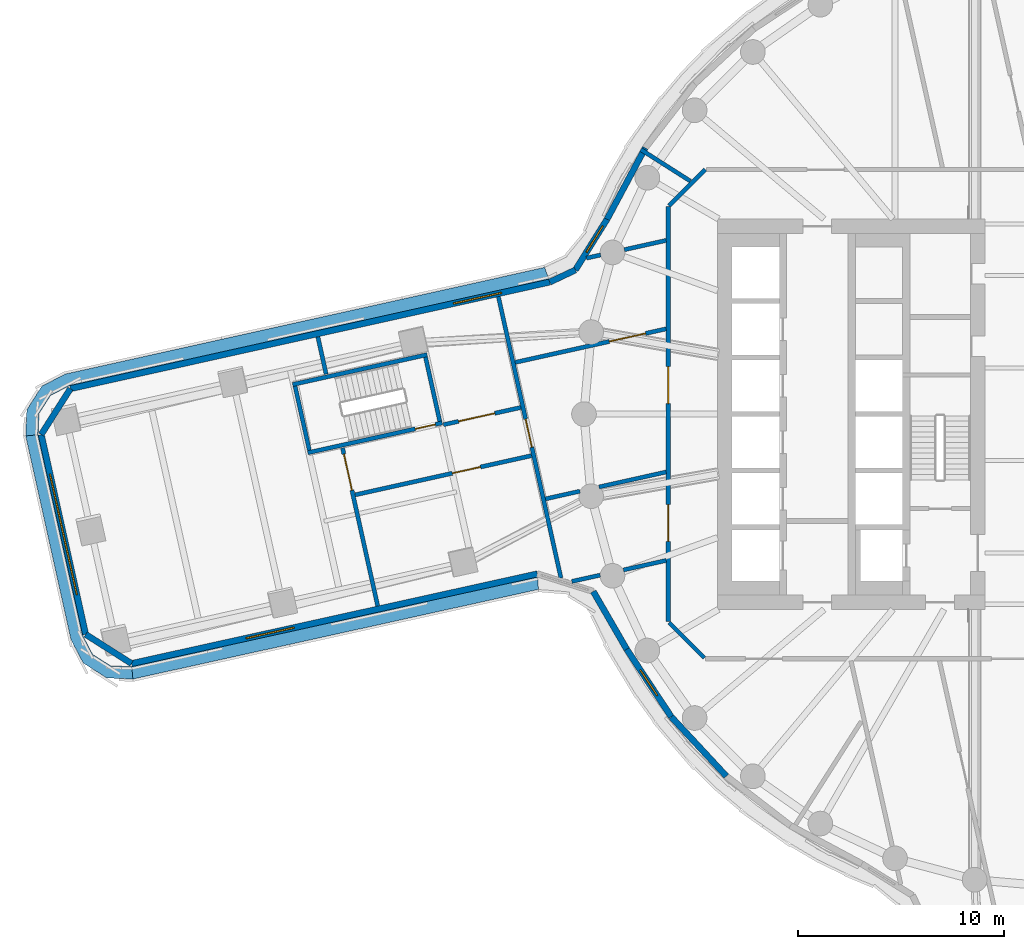
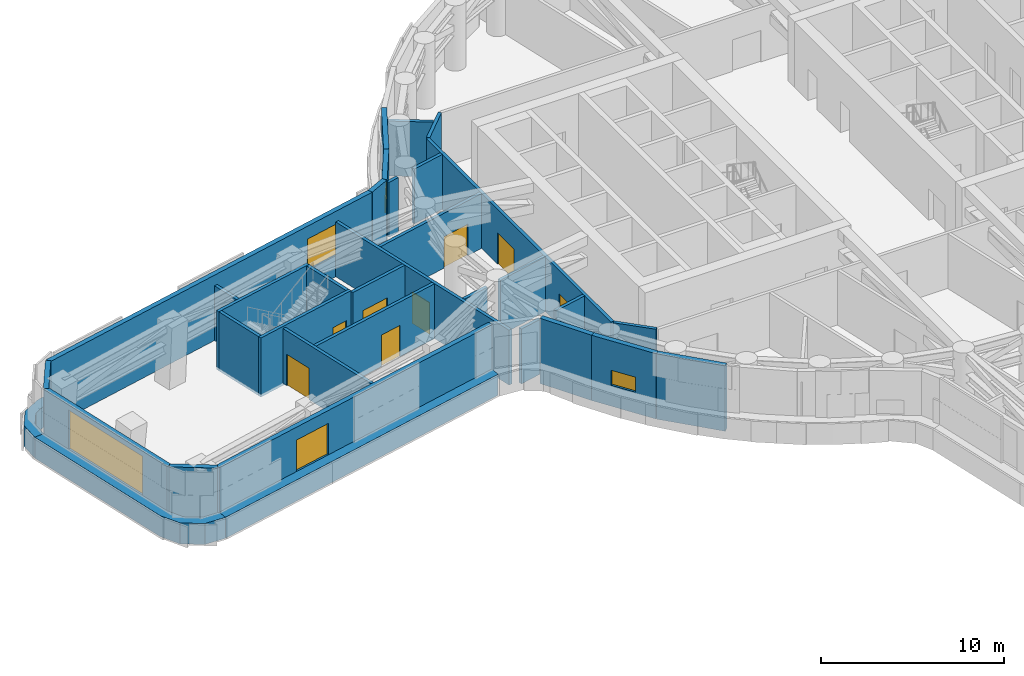
# One storey, part 8 of 22: 31 walls, 8 doors, 5 windows, 3 members, 13 openings.
"""IFC4 building model written with IfcOpenShell, lengths in metres."""

from ifc_helpers import new_model, si_unit, direction, frame, frame_2d, origin, place, context, subcontext, project, spatial, polyline, rectangle, outline, extrude, material, layer, layer_set, type_object, element, fill, aggregate, save


model = new_model("IFC4")

# Units and contexts
model_context = context("Model", 3, precision=1e-05, world=origin(), true_north=direction((0.0, 1.0)))
body_context = subcontext(model_context, "Body", "Model", "MODEL_VIEW")
ifc_project = project(units=[si_unit("LENGTHUNIT", "METRE"), si_unit("AREAUNIT", "SQUARE_METRE"), si_unit("VOLUMEUNIT", "CUBIC_METRE"), si_unit("PLANEANGLEUNIT", "RADIAN"), si_unit("MASSUNIT", "GRAM", prefix="KILO")], contexts=[model_context])

# Member
ifc_material_1 = material(Name="Aluminium and insulated spandrel panel", Category="aluminium")
member_type = type_object("IfcMemberType", Name="Floor-edge blade transom", PredefinedType="USERDEFINED", material=ifc_material_1)
site_placement = place(None, origin())
building_placement = place(site_placement, origin())
storey_placement = place(building_placement, frame((0.0, 0.0, 79.0)))
member_1_placement = place(storey_placement, origin())
member_1 = element("IfcMember", 1, at=member_1_placement, type_object=member_type, Name="CWT-L18-00", ObjectType="TRANSOM", PredefinedType="USERDEFINED", context=body_context, shape_type="SweptSolid", body=[
    extrude(outline(polyline([(-49.556884765625, -1.006103515625), (-47.385986328125, -10.767578125), (-46.907470703125, -11.685546875), (-46.033935546875, -12.2412109375), (-44.99951171875, -12.28564453125), (-44.94677734375, -12.888671875), (-46.22021484375, -12.833740234375), (-47.365234375, -12.10546875), (-47.95458984375, -10.974853515625), (-50.15966796875, -1.05908203125), (-49.556884765625, -1.006103515625)])), origin(), (0.0, 0.0, 1.0), 1.39990234375),
])

member_2_placement = place(storey_placement, origin())
member_2 = element("IfcMember", 2, at=member_2_placement, type_object=member_type, Name="CWT-L18-01", ObjectType="TRANSOM", PredefinedType="USERDEFINED", context=body_context, shape_type="SweptSolid", body=[
    extrude(outline(polyline([(-44.99951171875, -12.28564453125), (-25.2578125, -7.92236328125), (-25.21630859375, -8.527587890625), (-44.94677734375, -12.888671875), (-44.99951171875, -12.28564453125)])), origin(), (0.0, 0.0, 1.0), 1.39990234375),
])

member_3_placement = place(storey_placement, origin())
member_3 = element("IfcMember", 3, at=member_3_placement, type_object=member_type, Name="CWT-L18-15", ObjectType="TRANSOM", PredefinedType="USERDEFINED", context=body_context, shape_type="SweptSolid", body=[
    extrude(outline(polyline([(-24.71337890625, 6.567626953125), (-48.038818359375, 1.38037109375), (-48.956787109375, 0.90185546875), (-49.512451171875, 0.0283203125), (-49.556884765625, -1.006103515625), (-50.15966796875, -1.05908203125), (-50.10498046875, 0.214599609375), (-49.376708984375, 1.359375), (-48.24609375, 1.948974609375), (-24.9091796875, 7.138671875), (-24.71337890625, 6.567626953125)])), origin(), (0.0, 0.0, 1.0), 1.39990234375),
])

# Site, building, storey
site = spatial("IfcSite", under=ifc_project, at=site_placement, CompositionType="ELEMENT")
building = spatial("IfcBuilding", under=site, at=building_placement, Name="Tamarind Cross Interchange Tower", CompositionType="ELEMENT")
storey = spatial("IfcBuildingStorey", under=building, at=storey_placement, Name="L18", CompositionType="ELEMENT", Elevation=79.0)

# Wall
ifc_material_2 = material(Name="Gypsum board partition on steel studs", Category="steel")
ifc_layer_1 = layer(ifc_material_2, 0.199951171875)
ifc_layer_set_1 = layer_set([ifc_layer_1], Name="Gypsum board partition on steel studs")
wall_type_1 = type_object("IfcWallType", Name="Partition 200 mm EI 180", PredefinedType="PARTITIONING", material=ifc_layer_set_1)
wall_1_placement = place(storey_placement, frame((-35.94873046875, 3.7607421875, 0.0), z_axis=(0.0, 0.0, 1.0), x_axis=(0.217083412402, -0.976153057702, 0.0)))
element("IfcWall", 4, at=wall_1_placement, inside=storey, type_object=wall_type_1, Name="Partition L18-001", PredefinedType="PARTITIONING", context=body_context, shape_type="SweptSolid", body=[
    extrude(rectangle(XDim=1.859130859375, YDim=0.199951171875, at=frame_2d((0.9296875, 0.0))), origin(), (0.0, 0.0, 1.0), 3.659912109375),
])

# Wall, opening, door
wall_2_placement = place(storey_placement, frame((-34.745849609375, -1.646728515625, 0.0), z_axis=(0.0, 0.0, 1.0), x_axis=(0.217124140151, -0.976143999502, 0.0)))
wall_2 = element("IfcWall", 5, at=wall_2_placement, inside=storey, type_object=wall_type_1, Name="Partition L18-002", PredefinedType="PARTITIONING", context=body_context, shape_type="SweptSolid", body=[
    extrude(rectangle(XDim=7.874267578125, YDim=0.199951171875, at=frame_2d((3.93701171875, 0.0))), origin(), (0.0, 0.0, 1.0), 3.659912109375),
])
opening_1_placement = place(wall_2_placement, frame((0.300048828125, 0.0, 0.0)))
opening_1 = element("IfcOpeningElement", 6, at=opening_1_placement, cuts=wall_2, Name="Opening D01", PredefinedType="OPENING", context=body_context, shape_type="SweptSolid", body=[
    extrude(rectangle(XDim=1.800048828125, YDim=2.10009765625, at=frame_2d((0.89990234375, 1.050048828125))), frame((0.0, 0.10986328125, 0.0), z_axis=(0.0, -1.0, 0.0), x_axis=(1.0, 0.0, 0.0)), (0.0, 0.0, 1.0), 0.219970703125),
])
ifc_material_3 = material(Name="Fire-resisting door set")
door_type_1 = type_object("IfcDoorType", Name="Interior door 1800 x 2100 FD120S", OperationType="DOUBLE_DOOR_SINGLE_SWING", PredefinedType="DOOR", material=ifc_material_3)
door_1_placement = place(opening_1_placement, frame((1.800048828125, 0.0, 0.0), z_axis=(0.0, 0.0, 1.0), x_axis=(-1.0, 0.0, 0.0)))
door_1 = element("IfcDoor", 7, at=door_1_placement, inside=storey, type_object=door_type_1, Name="Door D01", OperationType="DOUBLE_DOOR_SINGLE_SWING", OverallHeight=2.10009765625, OverallWidth=1.800048828125, PredefinedType="DOOR", context=body_context, shape_type="SweptSolid", body=[
    extrude(rectangle(XDim=1.800048828125, YDim=2.10009765625, at=frame_2d((0.89990234375, 1.050048828125))), frame((0.0, 0.02490234375, 0.0), z_axis=(0.0, -1.0, 0.0), x_axis=(1.0, 0.0, 0.0)), (0.0, 0.0, 1.0), 0.050048828125),
])
fill(opening_1, door_1)

wall_3_placement = place(storey_placement, frame((-27.163818359375, 5.71435546875, 0.0), z_axis=(0.0, 0.0, 1.0), x_axis=(0.217081624554, -0.976153455293, 0.0)))
wall_3 = element("IfcWall", 8, at=wall_3_placement, inside=storey, type_object=wall_type_1, Name="Partition L18-003", PredefinedType="PARTITIONING", context=body_context, shape_type="SweptSolid", body=[
    extrude(rectangle(XDim=14.022216796875, YDim=0.199951171875, at=frame_2d((7.01123046875, 0.0))), origin(), (0.0, 0.0, 1.0), 3.659912109375),
])
opening_2_placement = place(wall_3_placement, frame((6.099365234375, 0.0, 0.0)))
opening_2 = element("IfcOpeningElement", 9, at=opening_2_placement, cuts=wall_3, Name="Opening D02", PredefinedType="OPENING", context=body_context, shape_type="SweptSolid", body=[
    extrude(rectangle(XDim=1.39990234375, YDim=2.10009765625, at=frame_2d((0.699951171875, 1.050048828125))), frame((0.0, 0.10986328125, 0.0), z_axis=(0.0, -1.0, 0.0), x_axis=(1.0, 0.0, 0.0)), (0.0, 0.0, 1.0), 0.219970703125),
])
door_type_2 = type_object("IfcDoorType", Name="Interior door 1400 x 2100 FD120S", OperationType="DOUBLE_DOOR_SINGLE_SWING", PredefinedType="DOOR", material=ifc_material_3)
door_2_placement = place(opening_2_placement, origin())
door_2 = element("IfcDoor", 10, at=door_2_placement, inside=storey, type_object=door_type_2, Name="Door D02", OperationType="DOUBLE_DOOR_SINGLE_SWING", OverallHeight=2.10009765625, OverallWidth=1.39990234375, PredefinedType="DOOR", context=body_context, shape_type="SweptSolid", body=[
    extrude(rectangle(XDim=1.39990234375, YDim=2.10009765625, at=frame_2d((0.699951171875, 1.050048828125))), frame((0.0, 0.02490234375, 0.0), z_axis=(0.0, -1.0, 0.0), x_axis=(1.0, 0.0, 0.0)), (0.0, 0.0, 1.0), 0.050048828125),
])
fill(opening_2, door_2)

# Walls
wall_4_placement = place(storey_placement, frame((-18.857666015625, -10.142333984375, 0.0), z_axis=(0.0, 0.0, 1.0), x_axis=(0.707106781187, -0.707106781187, 0.0)))
element("IfcWall", 11, at=wall_4_placement, inside=storey, type_object=wall_type_1, Name="Partition L18-030", PredefinedType="PARTITIONING", context=body_context, shape_type="SweptSolid", body=[
    extrude(rectangle(XDim=2.42578125, YDim=0.199951171875, at=frame_2d((1.212890625, 0.0))), origin(), (0.0, 0.0, 1.0), 3.659912109375),
])
wall_5_placement = place(storey_placement, frame((-20.233154296875, 12.871826171875, 0.0), z_axis=(0.0, 0.0, 1.0), x_axis=(0.843541681932, -0.537063712089, 0.0)))
element("IfcWall", 12, at=wall_5_placement, inside=storey, type_object=wall_type_1, Name="Partition L18-032", PredefinedType="PARTITIONING", context=body_context, shape_type="SweptSolid", body=[
    extrude(rectangle(XDim=2.853515625, YDim=0.199951171875, at=frame_2d((1.4267578125, 0.0))), origin(), (0.0, 0.0, 1.0), 3.659912109375),
])

# Wall, opening, door
wall_6_placement = place(storey_placement, frame((-34.131591796875, -3.92724609375, 0.0), z_axis=(0.0, 0.0, 1.0), x_axis=(0.976144561186, 0.217121614921, 0.0)))
wall_6 = element("IfcWall", 13, at=wall_6_placement, inside=storey, type_object=wall_type_1, Name="Partition L18-036", PredefinedType="PARTITIONING", context=body_context, shape_type="SweptSolid", body=[
    extrude(rectangle(XDim=8.789794921875, YDim=0.199951171875, at=frame_2d((4.39501953125, 0.0))), origin(), (0.0, 0.0, 1.0), 3.659912109375),
])
opening_3_placement = place(wall_6_placement, frame((4.844970703125, 0.0, 0.0)))
opening_3 = element("IfcOpeningElement", 14, at=opening_3_placement, cuts=wall_6, Name="Opening D24", PredefinedType="OPENING", context=body_context, shape_type="SweptSolid", body=[
    extrude(rectangle(XDim=1.39990234375, YDim=2.10009765625, at=frame_2d((0.699951171875, 1.050048828125))), frame((0.0, 0.10986328125, 0.0), z_axis=(0.0, -1.0, 0.0), x_axis=(1.0, 0.0, 0.0)), (0.0, 0.0, 1.0), 0.219970703125),
])
door_3_placement = place(opening_3_placement, frame((1.39990234375, 0.0, 0.0), z_axis=(0.0, 0.0, 1.0), x_axis=(-1.0, 0.0, 0.0)))
door_3 = element("IfcDoor", 15, at=door_3_placement, inside=storey, type_object=door_type_2, Name="Door D24", OperationType="DOUBLE_DOOR_SINGLE_SWING", OverallHeight=2.10009765625, OverallWidth=1.39990234375, PredefinedType="DOOR", context=body_context, shape_type="SweptSolid", body=[
    extrude(rectangle(XDim=1.39990234375, YDim=2.10009765625, at=frame_2d((0.699951171875, 1.050048828125))), frame((0.0, 0.02490234375, 0.0), z_axis=(0.0, -1.0, 0.0), x_axis=(1.0, 0.0, 0.0)), (0.0, 0.0, 1.0), 0.050048828125),
])
fill(opening_3, door_3)

wall_7_placement = place(storey_placement, frame((-29.834716796875, -0.51318359375, 0.0), z_axis=(0.0, 0.0, 1.0), x_axis=(0.976172172107, 0.216997443313, 0.0)))
wall_7 = element("IfcWall", 16, at=wall_7_placement, inside=storey, type_object=wall_type_1, Name="Partition L18-037", PredefinedType="PARTITIONING", context=body_context, shape_type="SweptSolid", body=[
    extrude(rectangle(XDim=3.859130859375, YDim=0.199951171875, at=frame_2d((1.9296875, 0.0))), origin(), (0.0, 0.0, 1.0), 3.659912109375),
])
opening_4_placement = place(wall_7_placement, frame((0.75, 0.0, 0.0)))
opening_4 = element("IfcOpeningElement", 17, at=opening_4_placement, cuts=wall_7, Name="Opening D25", PredefinedType="OPENING", context=body_context, shape_type="SweptSolid", body=[
    extrude(rectangle(XDim=1.800048828125, YDim=2.10009765625, at=frame_2d((0.89990234375, 1.050048828125))), frame((0.0, 0.10986328125, 0.0), z_axis=(0.0, -1.0, 0.0), x_axis=(1.0, 0.0, 0.0)), (0.0, 0.0, 1.0), 0.219970703125),
])
door_4_placement = place(opening_4_placement, origin())
door_4 = element("IfcDoor", 18, at=door_4_placement, inside=storey, type_object=door_type_1, Name="Door D25", OperationType="DOUBLE_DOOR_SINGLE_SWING", OverallHeight=2.10009765625, OverallWidth=1.800048828125, PredefinedType="DOOR", context=body_context, shape_type="SweptSolid", body=[
    extrude(rectangle(XDim=1.800048828125, YDim=2.10009765625, at=frame_2d((0.89990234375, 1.050048828125))), frame((0.0, 0.02490234375, 0.0), z_axis=(0.0, -1.0, 0.0), x_axis=(1.0, 0.0, 0.0)), (0.0, 0.0, 1.0), 0.050048828125),
])
fill(opening_4, door_4)

wall_8_placement = place(storey_placement, frame((-26.349365234375, 2.515625, 0.0), z_axis=(0.0, 0.0, 1.0), x_axis=(0.976161866319, 0.217043799141, 0.0)))
wall_8 = element("IfcWall", 19, at=wall_8_placement, inside=storey, type_object=wall_type_1, Name="Partition L18-038", PredefinedType="PARTITIONING", context=body_context, shape_type="SweptSolid", body=[
    extrude(rectangle(XDim=7.5263671875, YDim=0.199951171875, at=frame_2d((3.76318359375, 0.0))), origin(), (0.0, 0.0, 1.0), 3.659912109375),
])
opening_5_placement = place(wall_8_placement, frame((4.699951171875, 0.0, 0.0)))
opening_5 = element("IfcOpeningElement", 20, at=opening_5_placement, cuts=wall_8, Name="Opening D26", PredefinedType="OPENING", context=body_context, shape_type="SweptSolid", body=[
    extrude(rectangle(XDim=1.800048828125, YDim=2.10009765625, at=frame_2d((0.89990234375, 1.050048828125))), frame((0.0, 0.10986328125, 0.0), z_axis=(0.0, -1.0, 0.0), x_axis=(1.0, 0.0, 0.0)), (0.0, 0.0, 1.0), 0.219970703125),
])
door_5_placement = place(opening_5_placement, origin())
door_5 = element("IfcDoor", 21, at=door_5_placement, inside=storey, type_object=door_type_1, Name="Door D26", OperationType="DOUBLE_DOOR_SINGLE_SWING", OverallHeight=2.10009765625, OverallWidth=1.800048828125, PredefinedType="DOOR", context=body_context, shape_type="SweptSolid", body=[
    extrude(rectangle(XDim=1.800048828125, YDim=2.10009765625, at=frame_2d((0.89990234375, 1.050048828125))), frame((0.0, 0.02490234375, 0.0), z_axis=(0.0, -1.0, 0.0), x_axis=(1.0, 0.0, 0.0)), (0.0, 0.0, 1.0), 0.050048828125),
])
fill(opening_5, door_5)

# Walls
wall_9_placement = place(storey_placement, frame((-24.873291015625, -4.122314453125, 0.0), z_axis=(0.0, 0.0, 1.0), x_axis=(0.976143603736, 0.217125919423, 0.0)))
element("IfcWall", 22, at=wall_9_placement, inside=storey, type_object=wall_type_1, Name="Partition L18-039", PredefinedType="PARTITIONING", context=body_context, shape_type="SweptSolid", body=[
    extrude(rectangle(XDim=1.71923828125, YDim=0.199951171875, at=frame_2d((0.859619140625, 0.0))), origin(), (0.0, 0.0, 1.0), 3.659912109375),
])
wall_10_placement = place(storey_placement, frame((-22.268310546875, -3.54296875, 0.0), z_axis=(0.0, 0.0, 1.0), x_axis=(0.9761664515, 0.217023176105, 0.0)))
element("IfcWall", 23, at=wall_10_placement, inside=storey, type_object=wall_type_1, Name="Partition L18-040", PredefinedType="PARTITIONING", context=body_context, shape_type="SweptSolid", body=[
    extrude(rectangle(XDim=3.345703125, YDim=0.199951171875, at=frame_2d((1.6728515625, 0.0))), origin(), (0.0, 0.0, 1.0), 3.659912109375),
])
wall_11_placement = place(storey_placement, frame((-23.591552734375, -8.1396484375, 0.0), z_axis=(0.0, 0.0, 1.0), x_axis=(0.976142259417, 0.217131963057, 0.0)))
element("IfcWall", 24, at=wall_11_placement, inside=storey, type_object=wall_type_1, Name="Partition L18-041", PredefinedType="PARTITIONING", context=body_context, shape_type="SweptSolid", body=[
    extrude(rectangle(XDim=1.4111328125, YDim=0.199951171875, at=frame_2d((0.70556640625, 0.0))), origin(), (0.0, 0.0, 1.0), 3.659912109375),
])
wall_12_placement = place(storey_placement, frame((-21.07958984375, -7.580810546875, 0.0), z_axis=(0.0, 0.0, 1.0), x_axis=(0.97615465389, 0.217076234739, 0.0)))
element("IfcWall", 25, at=wall_12_placement, inside=storey, type_object=wall_type_1, Name="Partition L18-042", PredefinedType="PARTITIONING", context=body_context, shape_type="SweptSolid", body=[
    extrude(rectangle(XDim=2.1279296875, YDim=0.199951171875, at=frame_2d((1.06396484375, 0.0))), origin(), (0.0, 0.0, 1.0), 3.659912109375),
])
wall_13_placement = place(storey_placement, frame((-22.8818359375, 7.589111328125, 0.0), z_axis=(0.0, 0.0, 1.0), x_axis=(0.976097832704, 0.21733159225, 0.0)))
element("IfcWall", 26, at=wall_13_placement, inside=storey, type_object=wall_type_1, Name="Partition L18-043", PredefinedType="PARTITIONING", context=body_context, shape_type="SweptSolid", body=[
    extrude(rectangle(XDim=0.708740234375, YDim=0.199951171875, at=frame_2d((0.3544921875, 0.0))), origin(), (0.0, 0.0, 1.0), 3.659912109375),
])
wall_14_placement = place(storey_placement, frame((-21.03857421875, 7.999267578125, 0.0), z_axis=(0.0, 0.0, 1.0), x_axis=(0.976145732889, 0.217116347063, 0.0)))
element("IfcWall", 27, at=wall_14_placement, inside=storey, type_object=wall_type_1, Name="Partition L18-044", PredefinedType="PARTITIONING", context=body_context, shape_type="SweptSolid", body=[
    extrude(rectangle(XDim=2.0859375, YDim=0.199951171875, at=frame_2d((1.04296875, 0.0))), origin(), (0.0, 0.0, 1.0), 3.659912109375),
])
wall_15_placement = place(storey_placement, frame((-18.857666015625, 10.142333984375, 0.0), z_axis=(0.0, 0.0, 1.0), x_axis=(0.707106781187, 0.707106781187, 0.0)))
element("IfcWall", 28, at=wall_15_placement, inside=storey, type_object=wall_type_1, Name="Partition L18-069", PredefinedType="PARTITIONING", context=body_context, shape_type="SweptSolid", body=[
    extrude(rectangle(XDim=2.485595703125, YDim=0.199951171875, at=frame_2d((1.24267578125, 0.0))), origin(), (0.0, 0.0, 1.0), 3.659912109375),
])

# Wall, openings, doors
wall_16_placement = place(storey_placement, frame((-18.89990234375, -10.10009765625, 0.0), z_axis=(0.0, 0.0, 1.0), x_axis=(0.0, 1.0, 0.0)))
wall_16 = element("IfcWall", 29, at=wall_16_placement, inside=storey, type_object=wall_type_1, Name="Partition L18-073", PredefinedType="PARTITIONING", context=body_context, shape_type="SweptSolid", body=[
    extrude(rectangle(XDim=20.2001953125, YDim=0.199951171875, at=frame_2d((10.10009765625, 0.0))), origin(), (0.0, 0.0, 1.0), 3.659912109375),
])
opening_6_placement = place(wall_16_placement, frame((10.60595703125, 0.0, 0.0)))
opening_6 = element("IfcOpeningElement", 30, at=opening_6_placement, cuts=wall_16, Name="Opening D36", PredefinedType="OPENING", context=body_context, shape_type="SweptSolid", body=[
    extrude(rectangle(XDim=1.800048828125, YDim=2.10009765625, at=frame_2d((0.89990234375, 1.050048828125))), frame((0.0, 0.10986328125, 0.0), z_axis=(0.0, -1.0, 0.0), x_axis=(1.0, 0.0, 0.0)), (0.0, 0.0, 1.0), 0.219970703125),
])
opening_7_placement = place(wall_16_placement, frame((3.904052734375, 0.0, 0.0)))
opening_7 = element("IfcOpeningElement", 31, at=opening_7_placement, cuts=wall_16, Name="Opening D37", PredefinedType="OPENING", context=body_context, shape_type="SweptSolid", body=[
    extrude(rectangle(XDim=1.800048828125, YDim=2.10009765625, at=frame_2d((0.89990234375, 1.050048828125))), frame((0.0, 0.10986328125, 0.0), z_axis=(0.0, -1.0, 0.0), x_axis=(1.0, 0.0, 0.0)), (0.0, 0.0, 1.0), 0.219970703125),
])
door_6_placement = place(opening_6_placement, frame((1.800048828125, 0.0, 0.0), z_axis=(0.0, 0.0, 1.0), x_axis=(-1.0, 0.0, 0.0)))
door_6 = element("IfcDoor", 32, at=door_6_placement, inside=storey, type_object=door_type_1, Name="Door D36", OperationType="DOUBLE_DOOR_SINGLE_SWING", OverallHeight=2.10009765625, OverallWidth=1.800048828125, PredefinedType="DOOR", context=body_context, shape_type="SweptSolid", body=[
    extrude(rectangle(XDim=1.800048828125, YDim=2.10009765625, at=frame_2d((0.89990234375, 1.050048828125))), frame((0.0, 0.02490234375, 0.0), z_axis=(0.0, -1.0, 0.0), x_axis=(1.0, 0.0, 0.0)), (0.0, 0.0, 1.0), 0.050048828125),
])
fill(opening_6, door_6)
door_7_placement = place(opening_7_placement, origin())
door_7 = element("IfcDoor", 33, at=door_7_placement, inside=storey, type_object=door_type_1, Name="Door D37", OperationType="DOUBLE_DOOR_SINGLE_SWING", OverallHeight=2.10009765625, OverallWidth=1.800048828125, PredefinedType="DOOR", context=body_context, shape_type="SweptSolid", body=[
    extrude(rectangle(XDim=1.800048828125, YDim=2.10009765625, at=frame_2d((0.89990234375, 1.050048828125))), frame((0.0, 0.02490234375, 0.0), z_axis=(0.0, -1.0, 0.0), x_axis=(1.0, 0.0, 0.0)), (0.0, 0.0, 1.0), 0.050048828125),
])
fill(opening_7, door_7)

# Wall, opening, window
ifc_material_4 = material(Name="Precast concrete C40", Category="concrete")
ifc_layer_2 = layer(ifc_material_4, 0.300048828125)
ifc_layer_set_2 = layer_set([ifc_layer_2], Name="Precast concrete C40")
wall_type_2 = type_object("IfcWallType", Name="Plant louvre wall", PredefinedType="SOLIDWALL", material=ifc_layer_set_2)
wall_17_placement = place(storey_placement, frame((-49.40625, -0.99267578125, 0.0), z_axis=(0.0, 0.0, 1.0), x_axis=(0.217088763424, -0.97615186769, 0.0)))
wall_17 = element("IfcWall", 34, at=wall_17_placement, inside=storey, type_object=wall_type_2, Name="EXW-L18-00-00", PredefinedType="SOLIDWALL", context=body_context, shape_type="SweptSolid", body=[
    extrude(rectangle(XDim=9.960693359375, YDim=0.300048828125, at=frame_2d((4.98046875, 0.0))), origin(), (0.0, 0.0, 1.0), 4.360107421875),
])
opening_8_placement = place(wall_17_placement, frame((1.980224609375, 0.0, 1.39990234375)))
opening_8 = element("IfcOpeningElement", 35, at=opening_8_placement, cuts=wall_17, Name="Opening W2", PredefinedType="OPENING", context=body_context, shape_type="SweptSolid", body=[
    extrude(rectangle(XDim=6.0, YDim=2.60009765625, at=frame_2d((3.0, 1.300048828125))), frame((0.0, 0.159912109375, 0.0), z_axis=(0.0, -1.0, 0.0), x_axis=(1.0, 0.0, 0.0)), (0.0, 0.0, 1.0), 0.320068359375),
])
ifc_material_5 = material(Name="Aluminium louvre", Category="aluminium")
window_type_1 = type_object("IfcWindowType", Name="Plant louvre bank", PartitioningType="SINGLE_PANEL", PredefinedType="WINDOW", material=ifc_material_5)
window_1_placement = place(opening_8_placement, origin())
window_1 = element("IfcWindow", 36, at=window_1_placement, inside=storey, type_object=window_type_1, Name="WIN-L18-00-00", OverallHeight=2.60009765625, OverallWidth=6.0, PartitioningType="SINGLE_PANEL", PredefinedType="WINDOW", context=body_context, shape_type="SweptSolid", body=[
    extrude(rectangle(XDim=6.0, YDim=2.60009765625, at=frame_2d((3.0, 1.300048828125))), frame((0.0, 0.030029296875, 0.0), z_axis=(0.0, -1.0, 0.0), x_axis=(1.0, 0.0, 0.0)), (0.0, 0.0, 1.0), 0.06005859375),
])
fill(opening_8, window_1)

aggregate(wall_17, [member_1])

# Wall
wall_18_placement = place(storey_placement, frame((-47.243896484375, -10.7158203125, 0.0), z_axis=(0.0, 0.0, 1.0), x_axis=(0.843775519569, -0.536696257277, 0.0)))
element("IfcWall", 37, at=wall_18_placement, inside=storey, type_object=wall_type_2, Name="EXW-L18-00-01", PredefinedType="SOLIDWALL", context=body_context, shape_type="SweptSolid", body=[
    extrude(rectangle(XDim=2.644287109375, YDim=0.300048828125, at=frame_2d((1.322265625, 0.0))), origin(), (0.0, 0.0, 1.0), 4.360107421875),
])

# Wall, opening, window
wall_19_placement = place(storey_placement, frame((-45.0126953125, -12.135009765625, 0.0), z_axis=(0.0, 0.0, 1.0), x_axis=(0.976433864348, 0.215816840295, 0.0)))
wall_19 = element("IfcWall", 38, at=wall_19_placement, inside=storey, type_object=wall_type_2, Name="EXW-L18-01-00", PredefinedType="SOLIDWALL", context=body_context, shape_type="SweptSolid", body=[
    extrude(rectangle(XDim=20.220947265625, YDim=0.300048828125, at=frame_2d((10.1103515625, 0.0))), origin(), (0.0, 0.0, 1.0), 4.360107421875),
])
opening_9_placement = place(wall_19_placement, frame((5.699951171875, 0.0, 1.39990234375)))
opening_9 = element("IfcOpeningElement", 39, at=opening_9_placement, cuts=wall_19, Name="Opening W3", PredefinedType="OPENING", context=body_context, shape_type="SweptSolid", body=[
    extrude(rectangle(XDim=2.39990234375, YDim=2.10009765625, at=frame_2d((1.199951171875, 1.050048828125))), frame((0.0, 0.159912109375, 0.0), z_axis=(0.0, -1.0, 0.0), x_axis=(1.0, 0.0, 0.0)), (0.0, 0.0, 1.0), 0.320068359375),
])
ifc_material_6 = material(Name="Aluminium and fire-resisting glass", Category="aluminium")
window_type_2 = type_object("IfcWindowType", Name="Refuge rescue window", PartitioningType="DOUBLE_PANEL_VERTICAL", PredefinedType="WINDOW", material=ifc_material_6)
window_2_placement = place(opening_9_placement, origin())
window_2 = element("IfcWindow", 40, at=window_2_placement, inside=storey, type_object=window_type_2, Name="RSW-L18-01-10", OverallHeight=2.10009765625, OverallWidth=2.39990234375, PartitioningType="SINGLE_PANEL", PredefinedType="WINDOW", context=body_context, shape_type="SweptSolid", body=[
    extrude(rectangle(XDim=2.39990234375, YDim=2.10009765625, at=frame_2d((1.199951171875, 1.050048828125))), frame((0.0, 0.030029296875, 0.0), z_axis=(0.0, -1.0, 0.0), x_axis=(1.0, 0.0, 0.0)), (0.0, 0.0, 1.0), 0.06005859375),
])
fill(opening_9, window_2)

aggregate(wall_19, [member_2])

# Wall
wall_20_placement = place(storey_placement, frame((-22.54931640625, -8.624755859375, 0.0), z_axis=(0.0, 0.0, 1.0), x_axis=(0.500322641095, -0.86583904671, 0.0)))
element("IfcWall", 41, at=wall_20_placement, inside=storey, type_object=wall_type_2, Name="EXW-L18-02-01", PredefinedType="SOLIDWALL", context=body_context, shape_type="SweptSolid", body=[
    extrude(rectangle(XDim=3.250732421875, YDim=0.300048828125, at=frame_2d((1.62548828125, 0.0))), origin(), (0.0, 0.0, 1.0), 4.360107421875),
])

# Wall, opening, window
wall_21_placement = place(storey_placement, frame((-20.9228515625, -11.439453125, 0.0), z_axis=(0.0, 0.0, 1.0), x_axis=(0.550573607302, -0.834786621205, 0.0)))
wall_21 = element("IfcWall", 42, at=wall_21_placement, inside=storey, type_object=wall_type_2, Name="EXW-L18-02-02", PredefinedType="SOLIDWALL", context=body_context, shape_type="SweptSolid", body=[
    extrude(rectangle(XDim=3.9384765625, YDim=0.300048828125, at=frame_2d((1.96923828125, 0.0))), origin(), (0.0, 0.0, 1.0), 4.360107421875),
])
opening_10_placement = place(wall_21_placement, frame((1.199951171875, 0.0, 1.39990234375)))
opening_10 = element("IfcOpeningElement", 43, at=opening_10_placement, cuts=wall_21, Name="Opening W5", PredefinedType="OPENING", context=body_context, shape_type="SweptSolid", body=[
    extrude(rectangle(XDim=1.5, YDim=1.0, at=frame_2d((0.75, 0.5))), frame((0.0, 0.159912109375, 0.0), z_axis=(0.0, -1.0, 0.0), x_axis=(1.0, 0.0, 0.0)), (0.0, 0.0, 1.0), 0.320068359375),
])
window_type_3 = type_object("IfcWindowType", Name="Refuge opening window", PartitioningType="DOUBLE_PANEL_VERTICAL", PredefinedType="WINDOW", material=ifc_material_6)
window_3_placement = place(opening_10_placement, origin())
window_3 = element("IfcWindow", 44, at=window_3_placement, inside=storey, type_object=window_type_3, Name="RSW-L18-02-17", OverallHeight=1.0, OverallWidth=1.5, PartitioningType="SINGLE_PANEL", PredefinedType="WINDOW", context=body_context, shape_type="SweptSolid", body=[
    extrude(rectangle(XDim=1.5, YDim=1.0, at=frame_2d((0.75, 0.5))), frame((0.0, 0.030029296875, 0.0), z_axis=(0.0, -1.0, 0.0), x_axis=(1.0, 0.0, 0.0)), (0.0, 0.0, 1.0), 0.06005859375),
])
fill(opening_10, window_3)

# Walls
wall_22_placement = place(storey_placement, frame((-18.75439453125, -14.727294921875, 0.0), z_axis=(0.0, 0.0, 1.0), x_axis=(0.680429698926, -0.732813362883, 0.0)))
element("IfcWall", 45, at=wall_22_placement, inside=storey, type_object=wall_type_2, Name="EXW-L18-02-03", PredefinedType="SOLIDWALL", context=body_context, shape_type="SweptSolid", body=[
    extrude(rectangle(XDim=3.938232421875, YDim=0.300048828125, at=frame_2d((1.96923828125, 0.0))), origin(), (0.0, 0.0, 1.0), 4.360107421875),
])
wall_23_placement = place(storey_placement, frame((-20.018798828125, 12.956298828125, 0.0), z_axis=(0.0, 0.0, 1.0), x_axis=(-0.472144036007, -0.881521417359, 0.0)))
element("IfcWall", 46, at=wall_23_placement, inside=storey, type_object=wall_type_2, Name="EXW-L18-14-05", PredefinedType="SOLIDWALL", context=body_context, shape_type="SweptSolid", body=[
    extrude(rectangle(XDim=3.940185546875, YDim=0.300048828125, at=frame_2d((1.97021484375, 0.0))), origin(), (0.0, 0.0, 1.0), 4.360107421875),
])

# Wall, opening, window
wall_24_placement = place(storey_placement, frame((-21.879150390625, 9.48291015625, 0.0), z_axis=(0.0, 0.0, 1.0), x_axis=(-0.528957701174, -0.848648189987, 0.0)))
wall_24 = element("IfcWall", 47, at=wall_24_placement, inside=storey, type_object=wall_type_2, Name="EXW-L18-14-06", PredefinedType="SOLIDWALL", context=body_context, shape_type="SweptSolid", body=[
    extrude(rectangle(XDim=2.90966796875, YDim=0.300048828125, at=frame_2d((1.454833984375, 0.0))), origin(), (0.0, 0.0, 1.0), 4.360107421875),
])
opening_11_placement = place(wall_24_placement, frame((0.389892578125, 0.0, 1.39990234375)))
opening_11 = element("IfcOpeningElement", 48, at=opening_11_placement, cuts=wall_24, Name="Opening W5", PredefinedType="OPENING", context=body_context, shape_type="SweptSolid", body=[
    extrude(rectangle(XDim=1.5, YDim=1.0, at=frame_2d((0.75, 0.5))), frame((0.0, 0.159912109375, 0.0), z_axis=(0.0, -1.0, 0.0), x_axis=(1.0, 0.0, 0.0)), (0.0, 0.0, 1.0), 0.320068359375),
])
window_4_placement = place(opening_11_placement, origin())
window_4 = element("IfcWindow", 49, at=window_4_placement, inside=storey, type_object=window_type_3, Name="RSW-L18-14-01", OverallHeight=1.0, OverallWidth=1.5, PartitioningType="SINGLE_PANEL", PredefinedType="WINDOW", context=body_context, shape_type="SweptSolid", body=[
    extrude(rectangle(XDim=1.5, YDim=1.0, at=frame_2d((0.75, 0.5))), frame((0.0, 0.030029296875, 0.0), z_axis=(0.0, -1.0, 0.0), x_axis=(1.0, 0.0, 0.0)), (0.0, 0.0, 1.0), 0.06005859375),
])
fill(opening_11, window_4)

# Wall
wall_25_placement = place(storey_placement, frame((-23.418212890625, 7.013671875, 0.0), z_axis=(0.0, 0.0, 1.0), x_axis=(-0.904159344398, -0.427195365071, 0.0)))
element("IfcWall", 50, at=wall_25_placement, inside=storey, type_object=wall_type_2, Name="EXW-L18-14-07", PredefinedType="SOLIDWALL", context=body_context, shape_type="SweptSolid", body=[
    extrude(rectangle(XDim=1.37841796875, YDim=0.300048828125, at=frame_2d((0.689208984375, 0.0))), origin(), (0.0, 0.0, 1.0), 4.360107421875),
])

# Wall, opening, window
wall_26_placement = place(storey_placement, frame((-24.66455078125, 6.4248046875, 0.0), z_axis=(0.0, 0.0, 1.0), x_axis=(-0.976153387473, -0.217081929523, 0.0)))
wall_26 = element("IfcWall", 51, at=wall_26_placement, inside=storey, type_object=wall_type_2, Name="EXW-L18-15-00", PredefinedType="SOLIDWALL", context=body_context, shape_type="SweptSolid", body=[
    extrude(rectangle(XDim=23.89208984375, YDim=0.300048828125, at=frame_2d((11.946044921875, 0.0))), origin(), (0.0, 0.0, 1.0), 4.360107421875),
])
opening_12_placement = place(wall_26_placement, frame((2.39990234375, 0.0, 1.39990234375)))
opening_12 = element("IfcOpeningElement", 52, at=opening_12_placement, cuts=wall_26, Name="Opening W3", PredefinedType="OPENING", context=body_context, shape_type="SweptSolid", body=[
    extrude(rectangle(XDim=2.39990234375, YDim=2.10009765625, at=frame_2d((1.199951171875, 1.050048828125))), frame((0.0, 0.159912109375, 0.0), z_axis=(0.0, -1.0, 0.0), x_axis=(1.0, 0.0, 0.0)), (0.0, 0.0, 1.0), 0.320068359375),
])
window_5_placement = place(opening_12_placement, origin())
window_5 = element("IfcWindow", 53, at=window_5_placement, inside=storey, type_object=window_type_2, Name="RSW-L18-15-00", OverallHeight=2.10009765625, OverallWidth=2.39990234375, PartitioningType="SINGLE_PANEL", PredefinedType="WINDOW", context=body_context, shape_type="SweptSolid", body=[
    extrude(rectangle(XDim=2.39990234375, YDim=2.10009765625, at=frame_2d((1.199951171875, 1.050048828125))), frame((0.0, 0.030029296875, 0.0), z_axis=(0.0, -1.0, 0.0), x_axis=(1.0, 0.0, 0.0)), (0.0, 0.0, 1.0), 0.06005859375),
])
fill(opening_12, window_5)

aggregate(wall_26, [member_3])

# Wall
wall_27_placement = place(storey_placement, frame((-47.98681640625, 1.23828125, 0.0), z_axis=(0.0, 0.0, 1.0), x_axis=(-0.536803799102, -0.843707106329, 0.0)))
element("IfcWall", 54, at=wall_27_placement, inside=storey, type_object=wall_type_2, Name="EXW-L18-15-01", PredefinedType="SOLIDWALL", context=body_context, shape_type="SweptSolid", body=[
    extrude(rectangle(XDim=2.644287109375, YDim=0.300048828125, at=frame_2d((1.322265625, 0.0))), origin(), (0.0, 0.0, 1.0), 4.360107421875),
])

# Wall, opening, door
ifc_material_7 = material(Name="Concrete C40", Category="concrete")
ifc_layer_3 = layer(ifc_material_7, 0.199951171875)
ifc_layer_set_3 = layer_set([ifc_layer_3], Name="Concrete C40")
wall_type_3 = type_object("IfcWallType", Name="Stair shaft wall 200 mm Concrete C40", PredefinedType="SHEAR", material=ifc_layer_set_3)
wall_28_placement = place(storey_placement, frame((-29.896240234375, -0.42431640625, -0.179931640625), z_axis=(0.0, 0.0, 1.0), x_axis=(-0.97615532549, -0.217073214646, 0.0)))
wall_28 = element("IfcWall", 55, at=wall_28_placement, inside=storey, type_object=wall_type_3, Name="Core wall CWL-L18-ST5-H", PredefinedType="SHEAR", context=body_context, shape_type="SweptSolid", body=[
    extrude(rectangle(XDim=6.69970703125, YDim=0.199951171875, at=frame_2d((3.349853515625, 0.0))), origin(), (0.0, 0.0, 1.0), 3.93994140625),
])
opening_13_placement = place(wall_28_placement, frame((0.35009765625, 0.0, 0.0)))
opening_13 = element("IfcOpeningElement", 56, at=opening_13_placement, cuts=wall_28, Name="Opening ST5L18", PredefinedType="OPENING", context=body_context, shape_type="SweptSolid", body=[
    extrude(rectangle(XDim=1.0, YDim=2.10009765625, at=frame_2d((0.5, 1.050048828125))), frame((0.0, 0.10986328125, 0.0), z_axis=(0.0, -1.0, 0.0), x_axis=(1.0, 0.0, 0.0)), (0.0, 0.0, 1.0), 0.219970703125),
])
ifc_material_8 = material(Name="Steel, fire-resisting", Category="steel")
door_type_3 = type_object("IfcDoorType", Name="Core fire door 1000 x 2100 FD90", OperationType="SINGLE_SWING_LEFT", PredefinedType="DOOR", material=ifc_material_8)
door_8_placement = place(opening_13_placement, origin())
door_8 = element("IfcDoor", 57, at=door_8_placement, inside=storey, type_object=door_type_3, Name="L18 stair door ST5", OperationType="SINGLE_SWING_LEFT", OverallHeight=2.10009765625, OverallWidth=1.0, PredefinedType="DOOR", context=body_context, shape_type="SweptSolid", body=[
    extrude(rectangle(XDim=1.0, YDim=2.10009765625, at=frame_2d((0.5, 1.050048828125))), frame((0.0, 0.02490234375, 0.0), z_axis=(0.0, -1.0, 0.0), x_axis=(1.0, 0.0, 0.0)), (0.0, 0.0, 1.0), 0.050048828125),
])
fill(opening_13, door_8)

# Walls
wall_29_placement = place(storey_placement, frame((-30.63427734375, 2.894775390625, -0.179931640625), z_axis=(0.0, 0.0, 1.0), x_axis=(-0.976149320922, -0.217100214792, 0.0)))
element("IfcWall", 58, at=wall_29_placement, inside=storey, type_object=wall_type_3, Name="Core wall CWL-L18-ST5-C", PredefinedType="SHEAR", context=body_context, shape_type="SweptSolid", body=[
    extrude(rectangle(XDim=6.7001953125, YDim=0.199951171875, at=frame_2d((3.35009765625, 0.0))), origin(), (0.0, 0.0, 1.0), 3.93994140625),
])
wall_30_placement = place(storey_placement, frame((-30.710205078125, 2.775390625, -0.179931640625), z_axis=(0.0, 0.0, 1.0), x_axis=(0.217124322557, -0.976143958929, 0.0)))
element("IfcWall", 59, at=wall_30_placement, inside=storey, type_object=wall_type_3, Name="Core wall CWL-L18-ST5-CE", PredefinedType="SHEAR", context=body_context, shape_type="SweptSolid", body=[
    extrude(rectangle(XDim=3.2001953125, YDim=0.199951171875, at=frame_2d((1.60009765625, 0.0))), origin(), (0.0, 0.0, 1.0), 3.93994140625),
])
wall_31_placement = place(storey_placement, frame((0.0, 0.0, -0.179931640625)))
element("IfcWall", 60, at=wall_31_placement, inside=storey, type_object=wall_type_3, Name="Core wall CWL-L18-ST5-CF", PredefinedType="SHEAR", context=body_context, shape_type="SweptSolid", body=[
    extrude(outline(polyline([(-36.95751953125, 1.385986328125), (-37.15283203125, 1.342529296875), (-36.4580078125, -1.781005859375), (-36.262939453125, -1.737548828125), (-36.95751953125, 1.385986328125)])), origin(), (0.0, 0.0, 1.0), 3.93994140625),
])

save(model, "model.ifc")
